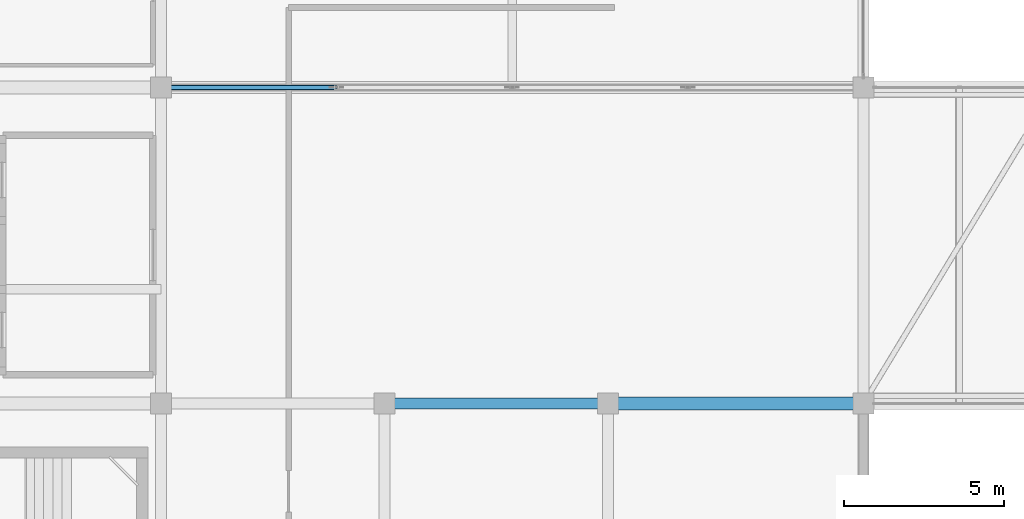
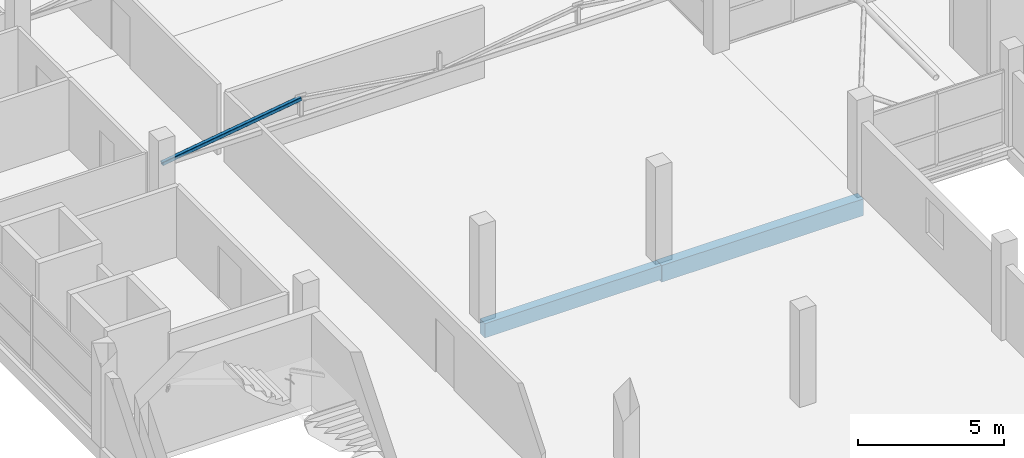
# One storey, part 9 of 70: 2 beams, 1 member.
"""IFC4 building model written with IfcOpenShell, lengths in metres."""

from ifc_helpers import new_model, si_unit, direction, frame, origin, origin_2d, place, context, subcontext, project, spatial, rectangle, hollow_rectangle, extrude, material, material_profile, profile_set, type_object, element, save


model = new_model("IFC4")

# Units and contexts
model_context = context("Model", 3, precision=1e-05, world=origin(), true_north=direction((0.0, 1.0)))
body_context = subcontext(model_context, "Body", "Model", "MODEL_VIEW")
ifc_project = project(units=[si_unit("LENGTHUNIT", "METRE"), si_unit("AREAUNIT", "SQUARE_METRE"), si_unit("VOLUMEUNIT", "CUBIC_METRE"), si_unit("PLANEANGLEUNIT", "RADIAN"), si_unit("MASSUNIT", "GRAM", prefix="KILO")], contexts=[model_context])

# Site, building, storey
site_placement = place(None, origin())
site = spatial("IfcSite", under=ifc_project, at=site_placement, CompositionType="ELEMENT")
building_placement = place(site_placement, origin())
building = spatial("IfcBuilding", under=site, at=building_placement, Name="Sillaruma Civic Art Gallery", CompositionType="ELEMENT")
storey_placement = place(building_placement, frame((0.0, 0.0, 66.300048828125)))
storey = spatial("IfcBuildingStorey", under=building, at=storey_placement, Name="L13", CompositionType="ELEMENT", Elevation=66.300048828125)

# Beams
ifc_material_1 = material(Name="Concrete H35 (35 MPa)", Category="concrete")
ifc_material_profile_1 = material_profile(ifc_material_1, rectangle(XDim=0.35009765625, YDim=0.60009765625, at=origin_2d()), Name="RCB350x600")
ifc_profile_set_1 = profile_set([ifc_material_profile_1], Name="Concrete H35 (35 MPa)")
beam_type_1 = type_object("IfcBeamType", Name="BM-BEAM-RCB350x600", PredefinedType="BEAM", material=ifc_profile_set_1)
beam_1_placement = place(storey_placement, frame((77.0, 39.60009765625, -0.530029296875), z_axis=(1.0, 0.0, 0.0), x_axis=(0.0, 1.0, 0.0)))
element("IfcBeam", 1, at=beam_1_placement, inside=storey, type_object=beam_type_1, Name="Beam BM-06 (L12:5:H-J)", PredefinedType="BEAM", context=body_context, shape_type="SweptSolid", body=[
    extrude(rectangle(XDim=0.35009765625, YDim=0.60009765625, at=origin_2d()), origin(), (0.0, 0.0, 1.0), 7.0),
])
ifc_material_profile_2 = material_profile(ifc_material_1, rectangle(XDim=0.39990234375, YDim=0.699951171875, at=origin_2d()), Name="RCB400x700")
ifc_profile_set_2 = profile_set([ifc_material_profile_2], Name="Concrete H35 (35 MPa)")
beam_type_2 = type_object("IfcBeamType", Name="BM-BEAM-RCB400x700", PredefinedType="BEAM", material=ifc_profile_set_2)
beam_2_placement = place(storey_placement, frame((84.0, 39.60009765625, -0.580078125), z_axis=(1.0, 0.0, 0.0), x_axis=(0.0, 1.0, 0.0)))
element("IfcBeam", 2, at=beam_2_placement, inside=storey, type_object=beam_type_2, Name="Beam BM-04 (L12:5:J-K)", PredefinedType="BEAM", context=body_context, shape_type="SweptSolid", body=[
    extrude(rectangle(XDim=0.39990234375, YDim=0.699951171875, at=origin_2d()), origin(), (0.0, 0.0, 1.0), 8.0),
])

# Member
ifc_material_2 = material(Name="Structural Steel ASTM A500 Gr.C", Category="steel")
ifc_material_profile_3 = material_profile(ifc_material_2, hollow_rectangle(XDim=0.14990234375, YDim=0.14990234375, WallThickness=0.010009765625, InnerFilletRadius=0.010009765625, OuterFilletRadius=0.02001953125, at=origin_2d()), Name="HSS150x150x10")
ifc_profile_set_3 = profile_set([ifc_material_profile_3], Name="Structural Steel ASTM A500 Gr.C")
member_type = type_object("IfcMemberType", Name="MEM-BRACE-HSS150x150x10", PredefinedType="BRACE", material=ifc_profile_set_3)
member_placement = place(storey_placement, frame((70.0, 49.5, 2.83984375), z_axis=(0.989377720719, 0.0, 0.145367553959), x_axis=(0.0, 1.0, 0.0)))
element("IfcMember", 3, at=member_placement, inside=storey, type_object=member_type, Name="Warren Truss Diagonal TR-L13-1-D1", PredefinedType="BRACE", context=body_context, shape_type="SweptSolid", body=[
    extrude(hollow_rectangle(XDim=0.14990234375, YDim=0.14990234375, WallThickness=0.010009765625, InnerFilletRadius=0.010009765625, OuterFilletRadius=0.02001953125, at=origin_2d()), origin(), (0.0, 0.0, 1.0), 5.55908203125),
])

save(model, "model.ifc")
